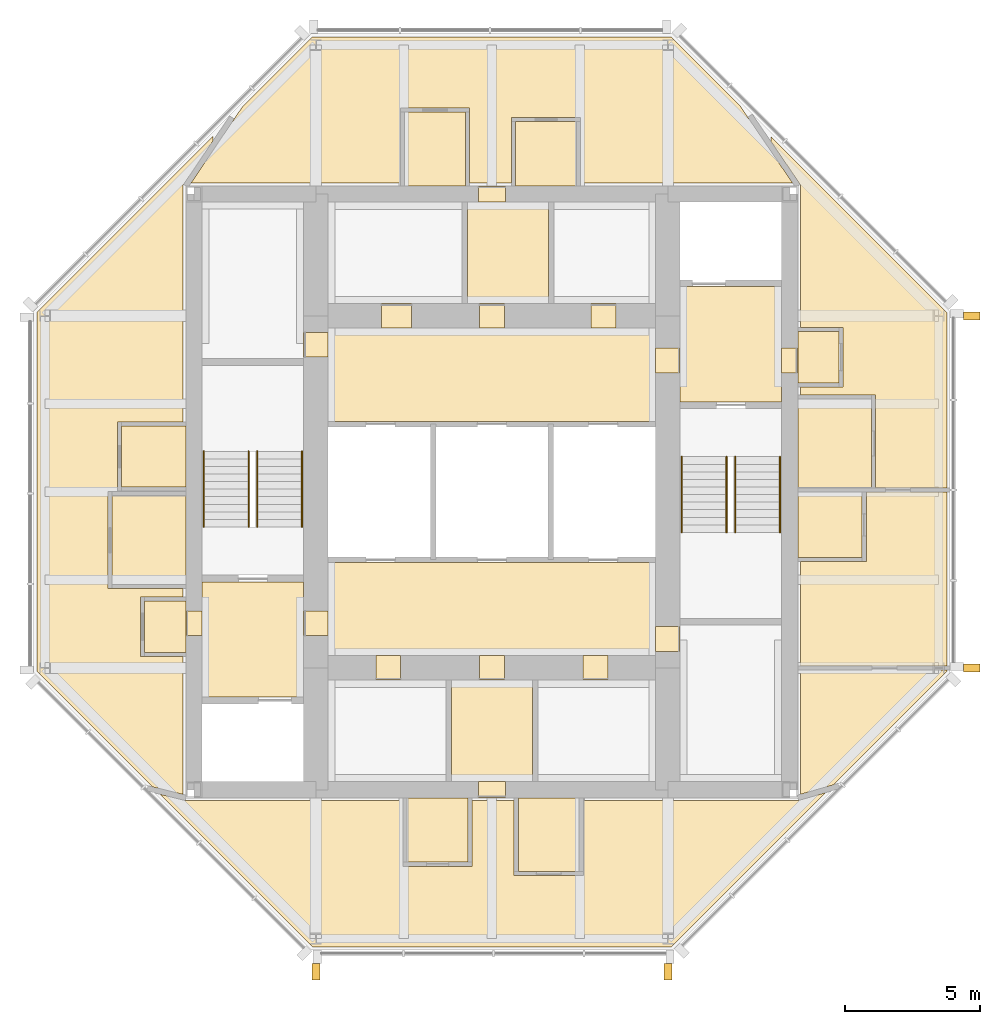
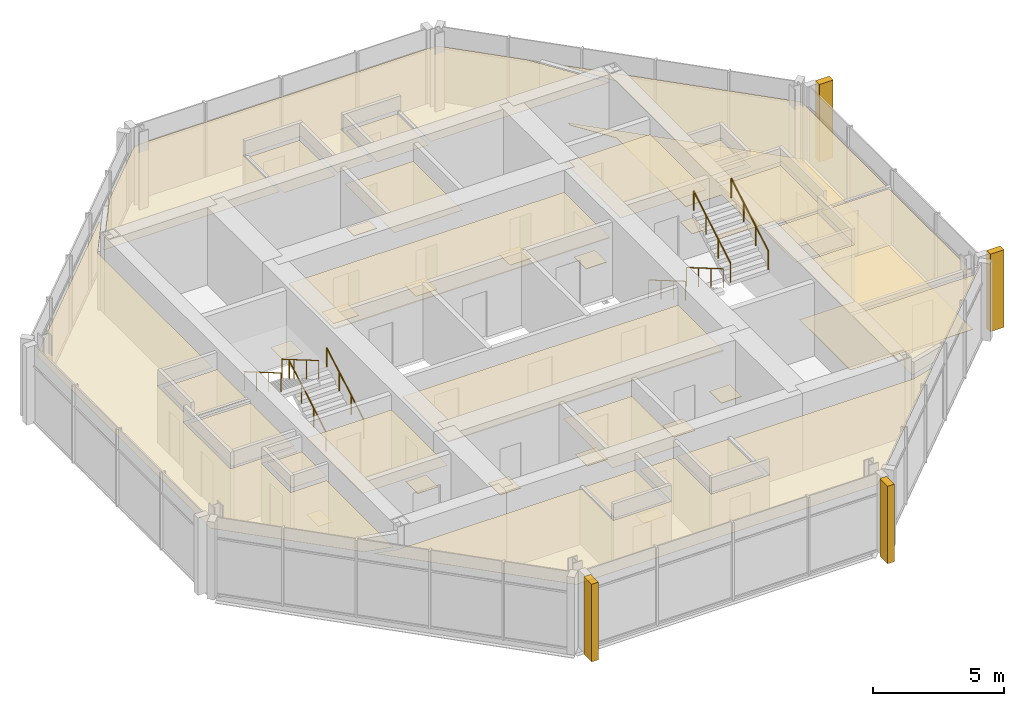
# One storey, part 8 of 8: 42 coverings, 8 railings.
"""IFC4 building model written with IfcOpenShell, lengths in metres."""

from ifc_helpers import new_model, si_unit, direction, frame, origin, origin_2d, place, context, subcontext, project, spatial, polyline, rectangle, circle, outline, extrude, material, layer, layer_set, type_object, element, save


model = new_model("IFC4")

# Units and contexts
model_context = context("Model", 3, precision=1e-05, world=origin(), true_north=direction((0.0, 1.0)))
body_context = subcontext(model_context, "Body", "Model", "MODEL_VIEW")
ifc_project = project(units=[si_unit("LENGTHUNIT", "METRE"), si_unit("AREAUNIT", "SQUARE_METRE"), si_unit("VOLUMEUNIT", "CUBIC_METRE"), si_unit("PLANEANGLEUNIT", "RADIAN"), si_unit("MASSUNIT", "GRAM", prefix="KILO")], contexts=[model_context])

# Site, building, storey
site_placement = place(None, origin())
site = spatial("IfcSite", under=ifc_project, at=site_placement, CompositionType="ELEMENT")
building_placement = place(site_placement, origin())
building = spatial("IfcBuilding", under=site, at=building_placement, Name="Trevanion Tower", CompositionType="ELEMENT")
storey_placement = place(building_placement, frame((0.0, 0.0, 270.39990234375)))
storey = spatial("IfcBuildingStorey", under=building, at=storey_placement, Name="L66", CompositionType="ELEMENT", Elevation=270.39990234375)

# Coverings
ifc_material_1 = material(Name="Fibrous plaster coffers on suspended steel grid", Category="steel")
ifc_layer_1 = layer(ifc_material_1, 0.050048828125)
ifc_layer_set_1 = layer_set([ifc_layer_1], Name="CL1 coffered fibrous plaster ceiling 50")
covering_type_1 = type_object("IfcCoveringType", Name="CL1 coffered fibrous plaster ceiling 50", PredefinedType="CEILING", material=ifc_layer_set_1)
covering_1_placement = place(storey_placement, frame((0.0, 0.0, 2.530029296875)))
element("IfcCovering", 1, at=covering_1_placement, inside=storey, type_object=covering_type_1, Name="CL1 L66-LBN", PredefinedType="CEILING", context=body_context, shape_type="SweptSolid", body=[
    extrude(outline(polyline([(6.050048828125, 2.60009765625), (6.050048828125, 6.050048828125), (-6.050048828125, 6.050048828125), (-6.050048828125, 2.60009765625), (6.050048828125, 2.60009765625)])), origin(), (0.0, 0.0, 1.0), 0.050048828125),
])
covering_2_placement = place(storey_placement, frame((0.0, 0.0, 2.530029296875)))
element("IfcCovering", 2, at=covering_2_placement, inside=storey, type_object=covering_type_1, Name="CL1 L66-LBS", PredefinedType="CEILING", context=body_context, shape_type="SweptSolid", body=[
    extrude(outline(polyline([(6.050048828125, -6.050048828125), (6.050048828125, -2.60009765625), (-6.050048828125, -2.60009765625), (-6.050048828125, -6.050048828125), (6.050048828125, -6.050048828125)])), origin(), (0.0, 0.0, 1.0), 0.050048828125),
])
ifc_material_2 = material(Name="Mineral fibre acoustic tiles in exposed grid", Category="mineral fibre")
ifc_layer_2 = layer(ifc_material_2, 0.02001953125)
ifc_layer_set_2 = layer_set([ifc_layer_2], Name="CL2 acoustic tile ceiling 20")
covering_type_2 = type_object("IfcCoveringType", Name="CL2 acoustic tile ceiling 20", PredefinedType="CEILING", material=ifc_layer_set_2)
covering_3_placement = place(storey_placement, frame((0.0, 0.0, 2.56005859375)))
element("IfcCovering", 3, at=covering_3_placement, inside=storey, type_object=covering_type_2, Name="CL2 L66-CNC", PredefinedType="CEILING", context=body_context, shape_type="SweptSolid", body=[
    extrude(outline(polyline([(2.10009765625, 6.949951171875), (2.10009765625, 10.699951171875), (-0.89990234375, 10.699951171875), (-0.89990234375, 6.949951171875), (2.10009765625, 6.949951171875)])), origin(), (0.0, 0.0, 1.0), 0.02001953125),
])
covering_4_placement = place(storey_placement, frame((0.0, 0.0, 2.56005859375)))
element("IfcCovering", 4, at=covering_4_placement, inside=storey, type_object=covering_type_2, Name="CL2 L66-CSC", PredefinedType="CEILING", context=body_context, shape_type="SweptSolid", body=[
    extrude(outline(polyline([(1.5, -10.699951171875), (1.5, -6.949951171875), (-1.5, -6.949951171875), (-1.5, -10.699951171875), (1.5, -10.699951171875)])), origin(), (0.0, 0.0, 1.0), 0.02001953125),
])
ifc_material_3 = material(Name="Gypsum plasterboard on suspended metal furring", Category="gypsum")
ifc_layer_3 = layer(ifc_material_3, 0.012939453125)
ifc_layer_set_3 = layer_set([ifc_layer_3], Name="CL3 plasterboard ceiling 13")
covering_type_3 = type_object("IfcCoveringType", Name="CL3 plasterboard ceiling 13", PredefinedType="CEILING", material=ifc_layer_set_3)
covering_5_placement = place(storey_placement, frame((0.0, 0.0, 2.7001953125)))
element("IfcCovering", 5, at=covering_5_placement, inside=storey, type_object=covering_type_3, Name="CL3 L66-FV1", PredefinedType="CEILING", context=body_context, shape_type="SweptSolid", body=[
    extrude(outline(polyline([(10.699951171875, 3.324951171875), (10.699951171875, 7.574951171875), (6.949951171875, 7.574951171875), (6.949951171875, 3.324951171875), (10.699951171875, 3.324951171875)])), origin(), (0.0, 0.0, 1.0), 0.012939453125),
])
covering_6_placement = place(storey_placement, frame((0.0, 0.0, 2.7001953125)))
element("IfcCovering", 6, at=covering_6_placement, inside=storey, type_object=covering_type_3, Name="CL3 L66-FV2", PredefinedType="CEILING", context=body_context, shape_type="SweptSolid", body=[
    extrude(outline(polyline([(-10.699951171875, -3.324951171875), (-10.699951171875, -7.574951171875), (-6.949951171875, -7.574951171875), (-6.949951171875, -3.324951171875), (-10.699951171875, -3.324951171875)])), origin(), (0.0, 0.0, 1.0), 0.012939453125),
])
covering_7_placement = place(storey_placement, frame((0.0, 0.0, 2.7001953125)))
element("IfcCovering", 7, at=covering_7_placement, inside=storey, type_object=covering_type_3, Name="CL3 L66-REE", PredefinedType="CEILING", context=body_context, shape_type="SweptSolid", body=[
    extrude(outline(polyline([(12.824951171875, 4.02490234375), (12.824951171875, 5.925048828125), (11.300048828125, 5.925048828125), (11.300048828125, 4.02490234375), (12.824951171875, 4.02490234375)])), origin(), (0.0, 0.0, 1.0), 0.012939453125),
])
covering_8_placement = place(storey_placement, frame((0.0, 0.0, 2.64111328125)))
element("IfcCovering", 8, at=covering_8_placement, inside=storey, type_object=covering_type_3, Name="CL3 L66-REY", PredefinedType="CEILING", context=body_context, shape_type="SweptSolid", body=[
    extrude(outline(polyline([(12.606689453125, -10.817626953125), (11.39990234375, -11.1669921875), (11.39990234375, -6.574951171875), (16.800048828125, -6.574951171875), (16.800048828125, -6.624267578125), (12.606689453125, -10.817626953125)])), origin(), (0.0, 0.0, 1.0), 0.012939453125),
])
covering_9_placement = place(storey_placement, frame((0.0, 0.0, 2.64111328125)))
element("IfcCovering", 9, at=covering_9_placement, inside=storey, type_object=covering_type_3, Name="CL3 L66-REB", PredefinedType="CEILING", context=body_context, shape_type="SweptSolid", body=[
    extrude(outline(polyline([(11.39990234375, -6.425048828125), (11.39990234375, -2.574951171875), (13.824951171875, -2.574951171875), (13.824951171875, -0.010009765625), (16.800048828125, -0.010009765625), (16.800048828125, -6.425048828125), (11.39990234375, -6.425048828125)])), origin(), (0.0, 0.0, 1.0), 0.012939453125),
])
covering_10_placement = place(storey_placement, frame((0.0, 0.0, 2.64111328125)))
element("IfcCovering", 10, at=covering_10_placement, inside=storey, type_object=covering_type_3, Name="CL3 L66-REL", PredefinedType="CEILING", context=body_context, shape_type="SweptSolid", body=[
    extrude(outline(polyline([(14.175048828125, 0.139892578125), (14.175048828125, 3.574951171875), (11.39990234375, 3.574951171875), (11.39990234375, 3.875), (12.97509765625, 3.875), (12.97509765625, 6.074951171875), (11.39990234375, 6.074951171875), (11.39990234375, 11.330810546875), (10.300048828125, 12.94384765625), (10.300048828125, 13.124267578125), (16.800048828125, 6.624267578125), (16.800048828125, 0.139892578125), (14.175048828125, 0.139892578125)])), origin(), (0.0, 0.0, 1.0), 0.012939453125),
])
covering_11_placement = place(storey_placement, frame((0.0, 0.0, 2.64111328125)))
element("IfcCovering", 11, at=covering_11_placement, inside=storey, type_object=covering_type_3, Name="CL3 L66-RNL", PredefinedType="CEILING", context=body_context, shape_type="SweptSolid", body=[
    extrude(outline(polyline([(9.15185546875, 14.272216796875), (11.11083984375, 11.39990234375), (3.27490234375, 11.39990234375), (3.27490234375, 13.824951171875), (0.72509765625, 13.824951171875), (0.72509765625, 11.39990234375), (-0.824951171875, 11.39990234375), (-0.824951171875, 14.175048828125), (-3.375, 14.175048828125), (-3.375, 11.39990234375), (-11.112060546875, 11.39990234375), (-9.227294921875, 14.197021484375), (-6.624267578125, 16.800048828125), (6.624267578125, 16.800048828125), (9.15185546875, 14.272216796875)])), origin(), (0.0, 0.0, 1.0), 0.012939453125),
])
covering_12_placement = place(storey_placement, frame((0.0, 0.0, 2.7001953125)))
element("IfcCovering", 12, at=covering_12_placement, inside=storey, type_object=covering_type_3, Name="CL3 L66-RWE", PredefinedType="CEILING", context=body_context, shape_type="SweptSolid", body=[
    extrude(outline(polyline([(-12.824951171875, -4.02490234375), (-12.824951171875, -5.925048828125), (-11.300048828125, -5.925048828125), (-11.300048828125, -4.02490234375), (-12.824951171875, -4.02490234375)])), origin(), (0.0, 0.0, 1.0), 0.012939453125),
])
covering_13_placement = place(storey_placement, frame((0.0, 0.0, 2.64111328125)))
element("IfcCovering", 13, at=covering_13_placement, inside=storey, type_object=covering_type_3, Name="CL3 L66-RWL", PredefinedType="CEILING", context=body_context, shape_type="SweptSolid", body=[
    extrude(outline(polyline([(-10.300048828125, 13.124267578125), (-10.300048828125, 12.962890625), (-11.39990234375, 11.33056640625), (-11.39990234375, 2.574951171875), (-13.824951171875, 2.574951171875), (-13.824951171875, 0.02490234375), (-11.39990234375, 0.02490234375), (-11.39990234375, 0.010009765625), (-14.175048828125, 0.010009765625), (-14.175048828125, -3.574951171875), (-11.39990234375, -3.574951171875), (-11.39990234375, -3.875), (-12.97509765625, -3.875), (-12.97509765625, -6.074951171875), (-11.39990234375, -6.074951171875), (-11.39990234375, -11.172119140625), (-12.53271484375, -10.8916015625), (-16.800048828125, -6.624267578125), (-16.800048828125, 6.624267578125), (-10.300048828125, 13.124267578125)])), origin(), (0.0, 0.0, 1.0), 0.012939453125),
])
covering_14_placement = place(storey_placement, frame((0.0, 0.0, 2.64111328125)))
element("IfcCovering", 14, at=covering_14_placement, inside=storey, type_object=covering_type_3, Name="CL3 L66-RSL", PredefinedType="CEILING", context=body_context, shape_type="SweptSolid", body=[
    extrude(outline(polyline([(-11.312255859375, -11.39990234375), (-3.27490234375, -11.39990234375), (-3.27490234375, -13.824951171875), (-0.72509765625, -13.824951171875), (-0.72509765625, -11.39990234375), (0.824951171875, -11.39990234375), (0.824951171875, -14.175048828125), (3.375, -14.175048828125), (3.375, -11.39990234375), (11.314208984375, -11.39990234375), (12.313720703125, -11.110595703125), (6.624267578125, -16.800048828125), (-6.624267578125, -16.800048828125), (-12.2587890625, -11.16552734375), (-11.312255859375, -11.39990234375)])), origin(), (0.0, 0.0, 1.0), 0.012939453125),
])
ifc_material_4 = material(Name="Moisture-resistant gypsum board on suspended metal furring", Category="gypsum")
ifc_layer_4 = layer(ifc_material_4, 0.01611328125)
ifc_layer_set_4 = layer_set([ifc_layer_4], Name="CL4 moisture-resistant board ceiling 16")
covering_type_4 = type_object("IfcCoveringType", Name="CL4 moisture-resistant board ceiling 16", PredefinedType="CEILING", material=ifc_layer_set_4)
covering_15_placement = place(storey_placement, frame((0.0, 0.0, 2.60009765625)))
element("IfcCovering", 15, at=covering_15_placement, inside=storey, type_object=covering_type_4, Name="CL4 L66-REK", PredefinedType="CEILING", context=body_context, shape_type="SweptSolid", body=[
    extrude(outline(polyline([(14.02490234375, 0.139892578125), (14.02490234375, 3.425048828125), (11.300048828125, 3.425048828125), (11.300048828125, 0.139892578125), (14.02490234375, 0.139892578125)])), origin(), (0.0, 0.0, 1.0), 0.01611328125),
])
covering_16_placement = place(storey_placement, frame((0.0, 0.0, 2.60009765625)))
element("IfcCovering", 16, at=covering_16_placement, inside=storey, type_object=covering_type_4, Name="CL4 L66-RET", PredefinedType="CEILING", context=body_context, shape_type="SweptSolid", body=[
    extrude(outline(polyline([(13.675048828125, -2.425048828125), (13.675048828125, -0.010009765625), (11.300048828125, -0.010009765625), (11.300048828125, -2.425048828125), (13.675048828125, -2.425048828125)])), origin(), (0.0, 0.0, 1.0), 0.01611328125),
])
covering_17_placement = place(storey_placement, frame((0.0, 0.0, 2.60009765625)))
element("IfcCovering", 17, at=covering_17_placement, inside=storey, type_object=covering_type_4, Name="CL4 L66-RNK", PredefinedType="CEILING", context=body_context, shape_type="SweptSolid", body=[
    extrude(outline(polyline([(-0.97509765625, 14.02490234375), (-3.22509765625, 14.02490234375), (-3.22509765625, 11.300048828125), (-0.97509765625, 11.300048828125), (-0.97509765625, 14.02490234375)])), origin(), (0.0, 0.0, 1.0), 0.01611328125),
])
covering_18_placement = place(storey_placement, frame((0.0, 0.0, 2.60009765625)))
element("IfcCovering", 18, at=covering_18_placement, inside=storey, type_object=covering_type_4, Name="CL4 L66-RNT", PredefinedType="CEILING", context=body_context, shape_type="SweptSolid", body=[
    extrude(outline(polyline([(3.125, 13.675048828125), (0.875, 13.675048828125), (0.875, 11.300048828125), (3.125, 11.300048828125), (3.125, 13.675048828125)])), origin(), (0.0, 0.0, 1.0), 0.01611328125),
])
covering_19_placement = place(storey_placement, frame((0.0, 0.0, 2.60009765625)))
element("IfcCovering", 19, at=covering_19_placement, inside=storey, type_object=covering_type_4, Name="CL4 L66-RWK", PredefinedType="CEILING", context=body_context, shape_type="SweptSolid", body=[
    extrude(outline(polyline([(-14.02490234375, -0.139892578125), (-14.02490234375, -3.425048828125), (-11.300048828125, -3.425048828125), (-11.300048828125, -0.139892578125), (-14.02490234375, -0.139892578125)])), origin(), (0.0, 0.0, 1.0), 0.01611328125),
])
covering_20_placement = place(storey_placement, frame((0.0, 0.0, 2.60009765625)))
element("IfcCovering", 20, at=covering_20_placement, inside=storey, type_object=covering_type_4, Name="CL4 L66-RWT", PredefinedType="CEILING", context=body_context, shape_type="SweptSolid", body=[
    extrude(outline(polyline([(-13.675048828125, 2.425048828125), (-13.675048828125, 0.175048828125), (-11.300048828125, 0.175048828125), (-11.300048828125, 2.425048828125), (-13.675048828125, 2.425048828125)])), origin(), (0.0, 0.0, 1.0), 0.01611328125),
])
covering_21_placement = place(storey_placement, frame((0.0, 0.0, 2.60009765625)))
element("IfcCovering", 21, at=covering_21_placement, inside=storey, type_object=covering_type_4, Name="CL4 L66-RSK", PredefinedType="CEILING", context=body_context, shape_type="SweptSolid", body=[
    extrude(outline(polyline([(0.97509765625, -14.02490234375), (3.22509765625, -14.02490234375), (3.22509765625, -11.300048828125), (0.97509765625, -11.300048828125), (0.97509765625, -14.02490234375)])), origin(), (0.0, 0.0, 1.0), 0.01611328125),
])
covering_22_placement = place(storey_placement, frame((0.0, 0.0, 2.60009765625)))
element("IfcCovering", 22, at=covering_22_placement, inside=storey, type_object=covering_type_4, Name="CL4 L66-RST", PredefinedType="CEILING", context=body_context, shape_type="SweptSolid", body=[
    extrude(outline(polyline([(-3.125, -13.675048828125), (-0.875, -13.675048828125), (-0.875, -11.300048828125), (-3.125, -11.300048828125), (-3.125, -13.675048828125)])), origin(), (0.0, 0.0, 1.0), 0.01611328125),
])
ifc_material_5 = material(Name="Cast bronze fin on aluminium carrier", Category="aluminium")
covering_type_5 = type_object("IfcCoveringType", Name="F1 bronze fin", PredefinedType="CLADDING", material=ifc_material_5)
for number, where, z_axis, x_axis, name in (
    (23, (17.72509765625, -6.5, -0.18994140625), (0.0, 0.0, 1.0), (0.0, 1.0, 0.0), "F1 L66 east -6.5"),
    (24, (17.72509765625, 6.5, -0.18994140625), (0.0, 0.0, 1.0), (0.0, 1.0, 0.0), "F1 L66 east +6.5"),
    (25, (-6.5, -17.72509765625, -0.18994140625), (0.0, 0.0, 1.0), (1.0, 0.0, 0.0), "F1 L66 south -6.5"),
    (26, (6.5, -17.72509765625, -0.18994140625), (0.0, 0.0, 1.0), (1.0, 0.0, 0.0), "F1 L66 south +6.5"),
):
    element("IfcCovering", number, at=place(storey_placement, frame(where, z_axis=z_axis, x_axis=x_axis)), inside=storey, type_object=covering_type_5, Name=name, PredefinedType="CLADDING", context=body_context, shape_type="SweptSolid", body=[
        extrude(rectangle(XDim=0.300048828125, YDim=0.60009765625, at=origin_2d()), origin(), (0.0, 0.0, 1.0), 3.60009765625),
    ])
ifc_material_6 = material(Name="Terrazzo, brass divider strips", Category="stone")
ifc_layer_5 = layer(ifc_material_6, 0.02001953125)
ifc_layer_set_5 = layer_set([ifc_layer_5], Name="FF1 terrazzo flooring")
covering_type_6 = type_object("IfcCoveringType", Name="FF1 terrazzo flooring", PredefinedType="FLOORING", material=ifc_layer_set_5)
covering_23_placement = place(storey_placement, origin())
element("IfcCovering", 27, at=covering_23_placement, inside=storey, type_object=covering_type_6, Name="FF1 threshold 66-001", PredefinedType="FLOORING", context=body_context, shape_type="SweptSolid", body=[
    extrude(outline(polyline([(11.300048828125, 4.392578125), (11.300048828125, 5.3076171875), (10.699951171875, 5.3076171875), (10.699951171875, 4.392578125), (11.300048828125, 4.392578125)])), origin(), (0.0, 0.0, 1.0), 0.02001953125),
])
covering_24_placement = place(storey_placement, origin())
element("IfcCovering", 28, at=covering_24_placement, inside=storey, type_object=covering_type_6, Name="FF1 threshold 66-002", PredefinedType="FLOORING", context=body_context, shape_type="SweptSolid", body=[
    extrude(outline(polyline([(-11.300048828125, -4.392578125), (-11.300048828125, -5.3076171875), (-10.699951171875, -5.3076171875), (-10.699951171875, -4.392578125), (-11.300048828125, -4.392578125)])), origin(), (0.0, 0.0, 1.0), 0.02001953125),
])
covering_25_placement = place(storey_placement, origin())
element("IfcCovering", 29, at=covering_25_placement, inside=storey, type_object=covering_type_6, Name="FF1 threshold 66-003", PredefinedType="FLOORING", context=body_context, shape_type="SweptSolid", body=[
    extrude(outline(polyline([(6.949951171875, 4.392578125), (6.949951171875, 5.3076171875), (6.050048828125, 5.3076171875), (6.050048828125, 4.392578125), (6.949951171875, 4.392578125)])), origin(), (0.0, 0.0, 1.0), 0.02001953125),
])
covering_26_placement = place(storey_placement, origin())
element("IfcCovering", 30, at=covering_26_placement, inside=storey, type_object=covering_type_6, Name="FF1 threshold 66-004", PredefinedType="FLOORING", context=body_context, shape_type="SweptSolid", body=[
    extrude(outline(polyline([(-6.949951171875, -4.392578125), (-6.949951171875, -5.3076171875), (-6.050048828125, -5.3076171875), (-6.050048828125, -4.392578125), (-6.949951171875, -4.392578125)])), origin(), (0.0, 0.0, 1.0), 0.02001953125),
])
covering_27_placement = place(storey_placement, origin())
element("IfcCovering", 31, at=covering_27_placement, inside=storey, type_object=covering_type_6, Name="FF1 threshold 66-009", PredefinedType="FLOORING", context=body_context, shape_type="SweptSolid", body=[
    extrude(outline(polyline([(6.949951171875, -5.889892578125), (6.949951171875, -4.97509765625), (6.050048828125, -4.97509765625), (6.050048828125, -5.889892578125), (6.949951171875, -5.889892578125)])), origin(), (0.0, 0.0, 1.0), 0.02001953125),
])
covering_28_placement = place(storey_placement, origin())
element("IfcCovering", 32, at=covering_28_placement, inside=storey, type_object=covering_type_6, Name="FF1 threshold 66-010", PredefinedType="FLOORING", context=body_context, shape_type="SweptSolid", body=[
    extrude(outline(polyline([(-6.949951171875, 5.889892578125), (-6.949951171875, 4.97509765625), (-6.050048828125, 4.97509765625), (-6.050048828125, 5.889892578125), (-6.949951171875, 5.889892578125)])), origin(), (0.0, 0.0, 1.0), 0.02001953125),
])
covering_29_placement = place(storey_placement, origin())
element("IfcCovering", 33, at=covering_29_placement, inside=storey, type_object=covering_type_6, Name="FF1 threshold 66-017", PredefinedType="FLOORING", context=body_context, shape_type="SweptSolid", body=[
    extrude(outline(polyline([(0.45751953125, 6.949951171875), (-0.45751953125, 6.949951171875), (-0.45751953125, 6.050048828125), (0.45751953125, 6.050048828125), (0.45751953125, 6.949951171875)])), origin(), (0.0, 0.0, 1.0), 0.02001953125),
])
covering_30_placement = place(storey_placement, origin())
element("IfcCovering", 34, at=covering_30_placement, inside=storey, type_object=covering_type_6, Name="FF1 threshold 66-018", PredefinedType="FLOORING", context=body_context, shape_type="SweptSolid", body=[
    extrude(outline(polyline([(0.5, 11.300048828125), (-0.5, 11.300048828125), (-0.5, 10.699951171875), (0.5, 10.699951171875), (0.5, 11.300048828125)])), origin(), (0.0, 0.0, 1.0), 0.02001953125),
])
covering_31_placement = place(storey_placement, origin())
element("IfcCovering", 35, at=covering_31_placement, inside=storey, type_object=covering_type_6, Name="FF1 threshold 66-019", PredefinedType="FLOORING", context=body_context, shape_type="SweptSolid", body=[
    extrude(outline(polyline([(-2.966064453125, 6.949951171875), (-4.083984375, 6.949951171875), (-4.083984375, 6.050048828125), (-2.966064453125, 6.050048828125), (-2.966064453125, 6.949951171875)])), origin(), (0.0, 0.0, 1.0), 0.02001953125),
])
covering_32_placement = place(storey_placement, origin())
element("IfcCovering", 36, at=covering_32_placement, inside=storey, type_object=covering_type_6, Name="FF1 threshold 66-020", PredefinedType="FLOORING", context=body_context, shape_type="SweptSolid", body=[
    extrude(outline(polyline([(4.58251953125, 6.949951171875), (3.66748046875, 6.949951171875), (3.66748046875, 6.050048828125), (4.58251953125, 6.050048828125), (4.58251953125, 6.949951171875)])), origin(), (0.0, 0.0, 1.0), 0.02001953125),
])
covering_33_placement = place(storey_placement, origin())
element("IfcCovering", 37, at=covering_33_placement, inside=storey, type_object=covering_type_6, Name="FF1 threshold 66-021", PredefinedType="FLOORING", context=body_context, shape_type="SweptSolid", body=[
    extrude(outline(polyline([(-0.45751953125, -6.949951171875), (0.45751953125, -6.949951171875), (0.45751953125, -6.050048828125), (-0.45751953125, -6.050048828125), (-0.45751953125, -6.949951171875)])), origin(), (0.0, 0.0, 1.0), 0.02001953125),
])
covering_34_placement = place(storey_placement, origin())
element("IfcCovering", 38, at=covering_34_placement, inside=storey, type_object=covering_type_6, Name="FF1 threshold 66-022", PredefinedType="FLOORING", context=body_context, shape_type="SweptSolid", body=[
    extrude(outline(polyline([(-0.5, -11.300048828125), (0.5, -11.300048828125), (0.5, -10.699951171875), (-0.5, -10.699951171875), (-0.5, -11.300048828125)])), origin(), (0.0, 0.0, 1.0), 0.02001953125),
])
covering_35_placement = place(storey_placement, origin())
element("IfcCovering", 39, at=covering_35_placement, inside=storey, type_object=covering_type_6, Name="FF1 threshold 66-023", PredefinedType="FLOORING", context=body_context, shape_type="SweptSolid", body=[
    extrude(outline(polyline([(-4.282470703125, -6.949951171875), (-3.367431640625, -6.949951171875), (-3.367431640625, -6.050048828125), (-4.282470703125, -6.050048828125), (-4.282470703125, -6.949951171875)])), origin(), (0.0, 0.0, 1.0), 0.02001953125),
])
covering_36_placement = place(storey_placement, origin())
element("IfcCovering", 40, at=covering_36_placement, inside=storey, type_object=covering_type_6, Name="FF1 threshold 66-024", PredefinedType="FLOORING", context=body_context, shape_type="SweptSolid", body=[
    extrude(outline(polyline([(3.367431640625, -6.949951171875), (4.282470703125, -6.949951171875), (4.282470703125, -6.050048828125), (3.367431640625, -6.050048828125), (3.367431640625, -6.949951171875)])), origin(), (0.0, 0.0, 1.0), 0.02001953125),
])
ifc_material_7 = material(Name="Engineered oak", Category="wood")
ifc_layer_6 = layer(ifc_material_7, 0.014892578125)
ifc_layer_set_6 = layer_set([ifc_layer_6], Name="FF3 timber flooring")
covering_type_7 = type_object("IfcCoveringType", Name="FF3 timber flooring", PredefinedType="FLOORING", material=ifc_layer_set_6)
covering_37_placement = place(storey_placement, origin())
element("IfcCovering", 41, at=covering_37_placement, inside=storey, type_object=covering_type_7, Name="FF3 L66-REB", PredefinedType="FLOORING", context=body_context, shape_type="SweptSolid", body=[
    extrude(outline(polyline([(11.39990234375, -6.425048828125), (11.39990234375, -2.574951171875), (13.824951171875, -2.574951171875), (13.824951171875, -0.010009765625), (16.800048828125, -0.010009765625), (16.800048828125, -6.425048828125), (11.39990234375, -6.425048828125)])), origin(), (0.0, 0.0, 1.0), 0.01513671875),
])
covering_38_placement = place(storey_placement, origin())
element("IfcCovering", 42, at=covering_38_placement, inside=storey, type_object=covering_type_7, Name="FF3 L66-REL", PredefinedType="FLOORING", context=body_context, shape_type="SweptSolid", body=[
    extrude(outline(polyline([(14.175048828125, 0.139892578125), (14.175048828125, 3.574951171875), (11.39990234375, 3.574951171875), (11.39990234375, 3.875), (12.97509765625, 3.875), (12.97509765625, 6.074951171875), (11.39990234375, 6.074951171875), (11.39990234375, 11.330810546875), (10.300048828125, 12.94384765625), (10.300048828125, 13.124267578125), (16.800048828125, 6.624267578125), (16.800048828125, 0.139892578125), (14.175048828125, 0.139892578125)])), origin(), (0.0, 0.0, 1.0), 0.01513671875),
])

# Railings
ifc_material_8 = material(Name="Stainless steel tube 40 mm", Category="steel")
railing_type = type_object("IfcRailingType", Name="HR1 handrail", PredefinedType="HANDRAIL", material=ifc_material_8)
for number, where, name in (
    (43, (7.010009765625, 1.300048828125, 0.163818359375), "HR1 ST1 L66 flight 1"),
    (44, (8.6650390625, 1.300048828125, 0.163818359375), "HR1 ST1 L66 flight 1"),
):
    element("IfcRailing", number, at=place(storey_placement, frame(where)), inside=storey, type_object=railing_type, Name=name, PredefinedType="HANDRAIL", context=body_context, shape_type="SweptSolid", body=[
        extrude(circle(Radius=0.02001953125, at=origin_2d()), frame((0.0, 0.0, 0.8798828125), z_axis=(0.0, -0.863393664356, 0.504530851732), x_axis=(1.0, 0.0, 0.0)), (0.0, 0.0, 1.0), 3.2431640625),
        extrude(circle(Radius=0.01513671875, at=origin_2d()), origin(), (0.0, 0.0, 1.0), 0.85986328125),
        extrude(circle(Radius=0.01513671875, at=origin_2d()), frame((0.0, -0.933349609375, 0.54541015625)), (0.0, 0.0, 1.0), 0.85986328125),
        extrude(circle(Radius=0.01513671875, at=origin_2d()), frame((0.0, -1.86669921875, 1.0908203125)), (0.0, 0.0, 1.0), 0.85986328125),
        extrude(circle(Radius=0.01513671875, at=origin_2d()), frame((0.0, -2.800048828125, 1.63623046875)), (0.0, 0.0, 1.0), 0.85986328125),
    ])
for number, where, name in (
    (45, (8.985107421875, -1.5, 1.963623046875), "HR1 ST1 L66 flight 2"),
    (46, (10.639892578125, -1.5, 1.963623046875), "HR1 ST1 L66 flight 2"),
):
    element("IfcRailing", number, at=place(storey_placement, frame(where)), inside=storey, type_object=railing_type, Name=name, PredefinedType="HANDRAIL", context=body_context, shape_type="SweptSolid", body=[
        extrude(circle(Radius=0.02001953125, at=origin_2d()), frame((0.0, 0.0, 0.8798828125), z_axis=(0.0, 0.863360870873, 0.504586966384), x_axis=(-1.0, 0.0, 0.0)), (0.0, 0.0, 1.0), 3.2431640625),
        extrude(circle(Radius=0.01513671875, at=origin_2d()), origin(), (0.0, 0.0, 1.0), 0.85986328125),
        extrude(circle(Radius=0.01513671875, at=origin_2d()), frame((0.0, 0.933349609375, 0.54541015625)), (0.0, 0.0, 1.0), 0.85986328125),
        extrude(circle(Radius=0.01513671875, at=origin_2d()), frame((0.0, 1.86669921875, 1.091064453125)), (0.0, 0.0, 1.0), 0.85986328125),
        extrude(circle(Radius=0.01513671875, at=origin_2d()), frame((0.0, 2.800048828125, 1.636474609375)), (0.0, 0.0, 1.0), 0.85986328125),
    ])
for number, where, name in (
    (47, (-7.010009765625, -1.300048828125, 0.163818359375), "HR1 ST2 L66 flight 1"),
    (48, (-8.6650390625, -1.300048828125, 0.163818359375), "HR1 ST2 L66 flight 1"),
):
    element("IfcRailing", number, at=place(storey_placement, frame(where)), inside=storey, type_object=railing_type, Name=name, PredefinedType="HANDRAIL", context=body_context, shape_type="SweptSolid", body=[
        extrude(circle(Radius=0.02001953125, at=origin_2d()), frame((0.0, 0.0, 0.8798828125), z_axis=(0.0, 0.863393664356, 0.504530851732), x_axis=(-1.0, 0.0, 0.0)), (0.0, 0.0, 1.0), 3.2431640625),
        extrude(circle(Radius=0.01513671875, at=origin_2d()), origin(), (0.0, 0.0, 1.0), 0.85986328125),
        extrude(circle(Radius=0.01513671875, at=origin_2d()), frame((0.0, 0.933349609375, 0.54541015625)), (0.0, 0.0, 1.0), 0.85986328125),
        extrude(circle(Radius=0.01513671875, at=origin_2d()), frame((0.0, 1.86669921875, 1.0908203125)), (0.0, 0.0, 1.0), 0.85986328125),
        extrude(circle(Radius=0.01513671875, at=origin_2d()), frame((0.0, 2.800048828125, 1.63623046875)), (0.0, 0.0, 1.0), 0.85986328125),
    ])
for number, where, name in (
    (49, (-8.985107421875, 1.5, 1.963623046875), "HR1 ST2 L66 flight 2"),
    (50, (-10.639892578125, 1.5, 1.963623046875), "HR1 ST2 L66 flight 2"),
):
    element("IfcRailing", number, at=place(storey_placement, frame(where)), inside=storey, type_object=railing_type, Name=name, PredefinedType="HANDRAIL", context=body_context, shape_type="SweptSolid", body=[
        extrude(circle(Radius=0.02001953125, at=origin_2d()), frame((0.0, 0.0, 0.8798828125), z_axis=(0.0, -0.863360870873, 0.504586966384), x_axis=(1.0, 0.0, 0.0)), (0.0, 0.0, 1.0), 3.2431640625),
        extrude(circle(Radius=0.01513671875, at=origin_2d()), origin(), (0.0, 0.0, 1.0), 0.85986328125),
        extrude(circle(Radius=0.01513671875, at=origin_2d()), frame((0.0, -0.933349609375, 0.54541015625)), (0.0, 0.0, 1.0), 0.85986328125),
        extrude(circle(Radius=0.01513671875, at=origin_2d()), frame((0.0, -1.86669921875, 1.091064453125)), (0.0, 0.0, 1.0), 0.85986328125),
        extrude(circle(Radius=0.01513671875, at=origin_2d()), frame((0.0, -2.800048828125, 1.636474609375)), (0.0, 0.0, 1.0), 0.85986328125),
    ])

save(model, "model.ifc")
